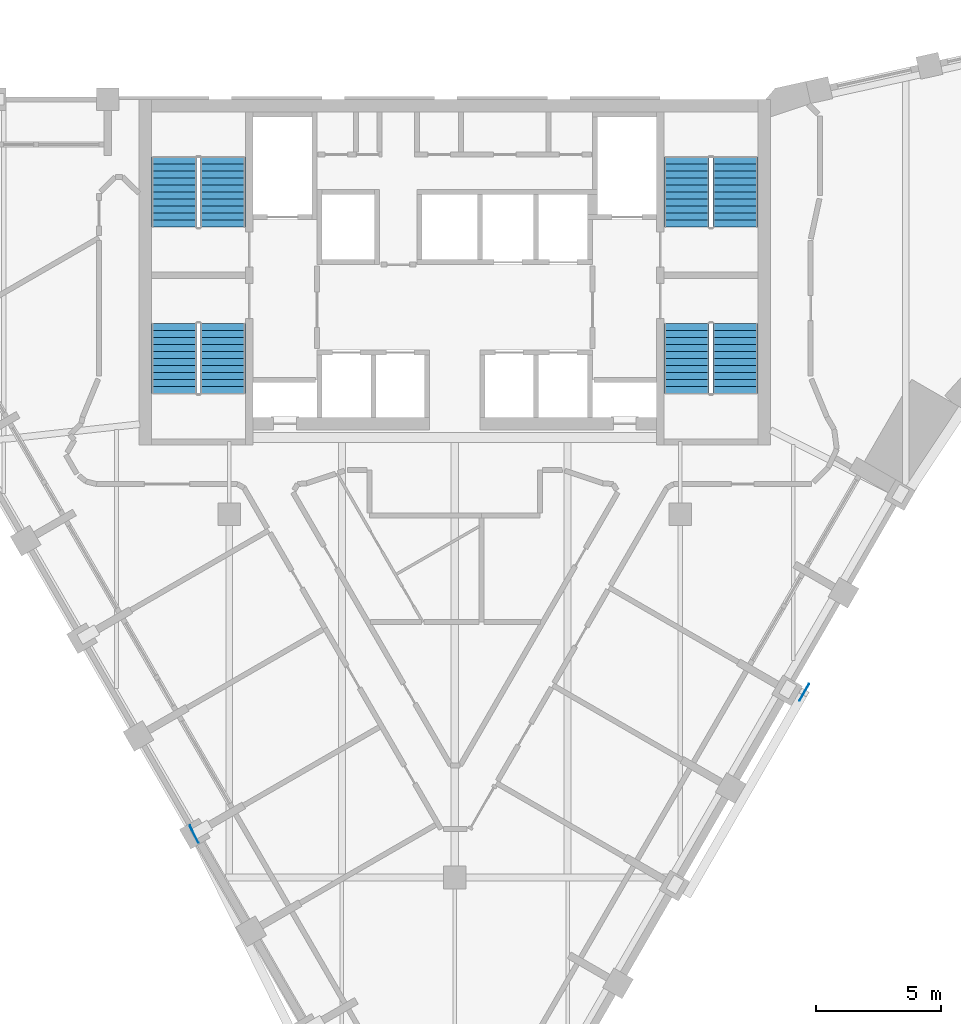
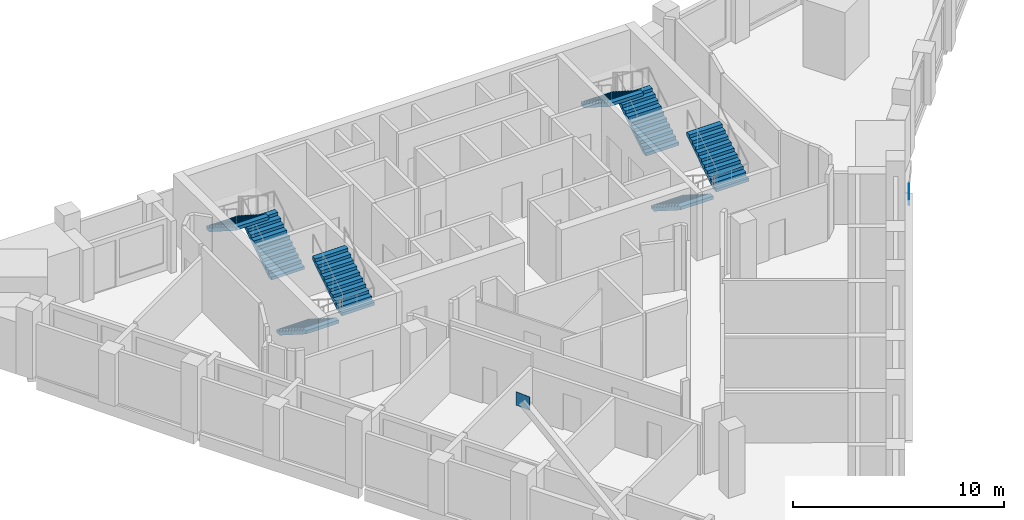
# One storey, part 8 of 9: 8 stair flights, 2 discrete accessories, 4 elements without a shape of their own.
"""IFC4 building model written with IfcOpenShell, lengths in metres."""

from ifc_helpers import new_model, si_unit, direction, frame, origin, origin_2d, place, context, subcontext, project, spatial, rectangle, extrude, faceted_brep, source, transform, mapped, material, type_object, element, aggregate, save


model = new_model("IFC4")

# Units and contexts
model_context = context("Model", 3, precision=1e-05, world=origin(), true_north=direction((0.0, 1.0)))
body_context = subcontext(model_context, "Body", "Model", "MODEL_VIEW")
ifc_project = project(units=[si_unit("LENGTHUNIT", "METRE"), si_unit("AREAUNIT", "SQUARE_METRE"), si_unit("VOLUMEUNIT", "CUBIC_METRE"), si_unit("PLANEANGLEUNIT", "RADIAN"), si_unit("MASSUNIT", "GRAM", prefix="KILO")], contexts=[model_context])

# Site, building, storey
site_placement = place(None, origin())
site = spatial("IfcSite", under=ifc_project, at=site_placement, CompositionType="ELEMENT")
building_placement = place(site_placement, origin())
building = spatial("IfcBuilding", under=site, at=building_placement, Name="Calabash Gate Tower", CompositionType="ELEMENT")
storey_placement = place(building_placement, frame((0.0, 0.0, 256.0)))
storey = spatial("IfcBuildingStorey", under=building, at=storey_placement, Name="L61", CompositionType="ELEMENT", Elevation=256.0)

# Stair, stair flights
ifc_material_1 = material(Name="Concrete C40/50", Category="concrete")
stair_type = type_object("IfcStairType", Name="Exit stair 22 risers of 177.3 mm", PredefinedType="HALF_TURN_STAIR", material=ifc_material_1)
stair_1_placement = place(storey_placement, origin())
stair_1 = element("IfcStair", 1, at=stair_1_placement, inside=storey, type_object=stair_type, Name="L61 Exit stair ST1", PredefinedType="HALF_TURN_STAIR")
ifc_material_2 = material(Name="Concrete C40/50", Category="concrete")
stair_flight_type = type_object("IfcStairFlightType", Name="Exit stair flight SFL", PredefinedType="STRAIGHT", material=ifc_material_2)
shared_shape = source(origin(), body_context, "Body", "Brep", [
    faceted_brep([(-0.0009765625, -0.89990234375, 0.0), (0.279541015625, -0.89990234375, 0.0), (2.791015625, -0.89990234375, 1.59521484375), (-0.0009765625, 0.89990234375, 0.0), (2.791015625, 0.89990234375, 1.59521484375), (0.279541015625, 0.89990234375, 0.0), (2.791015625, -0.89990234375, 1.78466796875), (2.7900390625, -0.89990234375, 1.78466796875), (2.7900390625, 0.89990234375, 1.78466796875), (2.791015625, 0.89990234375, 1.78466796875), (2.7900390625, -0.89990234375, 1.772705078125), (2.7900390625, 0.89990234375, 1.772705078125), (2.510986328125, -0.89990234375, 1.772705078125), (2.510986328125, 0.89990234375, 1.772705078125), (2.510986328125, -0.89990234375, 1.595458984375), (2.510986328125, 0.89990234375, 1.595458984375), (2.23193359375, -0.89990234375, 1.595458984375), (2.23193359375, 0.89990234375, 1.595458984375), (2.23193359375, -0.89990234375, 1.418212890625), (2.23193359375, 0.89990234375, 1.418212890625), (1.952880859375, -0.89990234375, 1.418212890625), (1.952880859375, -0.89990234375, 1.240966796875), (1.952880859375, 0.89990234375, 1.240966796875), (1.952880859375, 0.89990234375, 1.418212890625), (1.674072265625, -0.89990234375, 1.240966796875), (1.674072265625, -0.89990234375, 1.063720703125), (1.674072265625, 0.89990234375, 1.063720703125), (1.674072265625, 0.89990234375, 1.240966796875), (1.39501953125, -0.89990234375, 1.063720703125), (1.39501953125, -0.89990234375, 0.886474609375), (1.39501953125, 0.89990234375, 0.886474609375), (1.39501953125, 0.89990234375, 1.063720703125), (1.115966796875, -0.89990234375, 0.886474609375), (1.115966796875, -0.89990234375, 0.708984375), (1.115966796875, 0.89990234375, 0.708984375), (1.115966796875, 0.89990234375, 0.886474609375), (0.8369140625, -0.89990234375, 0.708984375), (0.8369140625, -0.89990234375, 0.53173828125), (0.8369140625, 0.89990234375, 0.53173828125), (0.8369140625, 0.89990234375, 0.708984375), (0.55810546875, -0.89990234375, 0.53173828125), (0.55810546875, -0.89990234375, 0.3544921875), (0.55810546875, 0.89990234375, 0.3544921875), (0.55810546875, 0.89990234375, 0.53173828125), (0.279052734375, -0.89990234375, 0.3544921875), (0.279052734375, -0.89990234375, 0.17724609375), (0.279052734375, 0.89990234375, 0.17724609375), (0.279052734375, 0.89990234375, 0.3544921875), (-0.0009765625, -0.89990234375, 0.17724609375), (-0.0009765625, 0.89990234375, 0.17724609375), (0.279541015625, -0.360107421875, 0.0), (2.791015625, -0.360107421875, 1.59521484375), (0.279541015625, 0.0, 0.0), (2.791015625, 0.0, 1.59521484375), (0.279541015625, 0.360107421875, 0.0), (2.791015625, 0.360107421875, 1.59521484375), (2.791015625, -0.360107421875, 1.78466796875), (2.791015625, 0.0, 1.78466796875), (2.791015625, 0.360107421875, 1.78466796875), (2.7900390625, -0.360107421875, 1.78466796875), (2.7900390625, 0.0, 1.78466796875), (2.7900390625, 0.360107421875, 1.78466796875), (2.7900390625, -0.360107421875, 1.772705078125), (2.7900390625, 0.0, 1.772705078125), (2.7900390625, 0.360107421875, 1.772705078125), (2.510986328125, -0.360107421875, 1.772705078125), (2.510986328125, 0.0, 1.772705078125), (2.510986328125, 0.360107421875, 1.772705078125), (2.510986328125, -0.360107421875, 1.595458984375), (2.510986328125, 0.0, 1.595458984375), (2.510986328125, 0.360107421875, 1.595458984375), (2.23193359375, -0.360107421875, 1.595458984375), (2.23193359375, 0.0, 1.595458984375), (2.23193359375, 0.360107421875, 1.595458984375), (2.23193359375, -0.360107421875, 1.418212890625), (2.23193359375, 0.0, 1.418212890625), (2.23193359375, 0.360107421875, 1.418212890625), (1.952880859375, -0.360107421875, 1.418212890625), (1.952880859375, 0.0, 1.418212890625), (1.952880859375, 0.360107421875, 1.418212890625), (1.952880859375, -0.360107421875, 1.240966796875), (1.952880859375, 0.0, 1.240966796875), (1.952880859375, 0.360107421875, 1.240966796875), (1.674072265625, -0.360107421875, 1.240966796875), (1.674072265625, 0.0, 1.240966796875), (1.674072265625, 0.360107421875, 1.240966796875), (1.674072265625, -0.360107421875, 1.063720703125), (1.674072265625, 0.0, 1.063720703125), (1.674072265625, 0.360107421875, 1.063720703125), (1.39501953125, -0.360107421875, 1.063720703125), (1.39501953125, 0.0, 1.063720703125), (1.39501953125, 0.360107421875, 1.063720703125), (1.39501953125, -0.360107421875, 0.886474609375), (1.39501953125, 0.0, 0.886474609375), (1.39501953125, 0.360107421875, 0.886474609375), (1.115966796875, -0.360107421875, 0.886474609375), (1.115966796875, 0.0, 0.886474609375), (1.115966796875, 0.360107421875, 0.886474609375), (1.115966796875, -0.360107421875, 0.708984375), (1.115966796875, 0.0, 0.708984375), (1.115966796875, 0.360107421875, 0.708984375), (0.8369140625, -0.360107421875, 0.708984375), (0.8369140625, 0.0, 0.708984375), (0.8369140625, 0.360107421875, 0.708984375), (0.8369140625, -0.360107421875, 0.53173828125), (0.8369140625, 0.0, 0.53173828125), (0.8369140625, 0.360107421875, 0.53173828125), (0.55810546875, -0.360107421875, 0.53173828125), (0.55810546875, 0.0, 0.53173828125), (0.55810546875, 0.360107421875, 0.53173828125), (0.55810546875, -0.360107421875, 0.3544921875), (0.55810546875, 0.0, 0.3544921875), (0.55810546875, 0.360107421875, 0.3544921875), (0.279052734375, -0.360107421875, 0.3544921875), (0.279052734375, 0.0, 0.3544921875), (0.279052734375, 0.360107421875, 0.3544921875), (0.279052734375, -0.360107421875, 0.17724609375), (0.279052734375, 0.0, 0.17724609375), (0.279052734375, 0.360107421875, 0.17724609375), (-0.0009765625, -0.360107421875, 0.17724609375), (-0.0009765625, 0.0, 0.17724609375), (-0.0009765625, 0.360107421875, 0.17724609375), (-0.0009765625, -0.360107421875, 0.0), (-0.0009765625, 0.0, 0.0), (-0.0009765625, 0.360107421875, 0.0)], [[[0, 1, 2]], [[3, 4, 5]], [[2, 6, 7]], [[4, 8, 9]], [[2, 7, 10]], [[4, 11, 8]], [[2, 10, 12]], [[4, 13, 11]], [[2, 12, 14]], [[4, 15, 13]], [[2, 14, 16]], [[4, 17, 15]], [[2, 16, 18]], [[4, 19, 17]], [[18, 20, 21]], [[19, 22, 23]], [[2, 18, 21]], [[4, 22, 19]], [[21, 24, 25]], [[22, 26, 27]], [[2, 21, 25]], [[4, 26, 22]], [[25, 28, 29]], [[26, 30, 31]], [[2, 25, 29]], [[4, 30, 26]], [[29, 32, 33]], [[30, 34, 35]], [[2, 29, 33]], [[4, 34, 30]], [[33, 36, 37]], [[34, 38, 39]], [[2, 33, 37]], [[4, 38, 34]], [[37, 40, 41]], [[38, 42, 43]], [[2, 37, 41]], [[4, 42, 38]], [[41, 44, 45]], [[42, 46, 47]], [[2, 41, 45]], [[4, 46, 42]], [[0, 2, 45]], [[3, 46, 4]], [[45, 48, 0]], [[46, 3, 49]], [[1, 50, 2]], [[50, 51, 2]], [[50, 52, 51]], [[52, 53, 51]], [[52, 54, 55]], [[52, 55, 53]], [[54, 5, 4]], [[54, 4, 55]], [[2, 51, 6]], [[51, 56, 6]], [[51, 53, 56]], [[53, 57, 56]], [[53, 55, 58]], [[53, 58, 57]], [[55, 4, 9]], [[55, 9, 58]], [[6, 56, 7]], [[56, 59, 7]], [[56, 57, 59]], [[57, 60, 59]], [[57, 58, 61]], [[57, 61, 60]], [[58, 9, 8]], [[58, 8, 61]], [[7, 59, 10]], [[59, 62, 10]], [[59, 60, 62]], [[60, 63, 62]], [[60, 61, 64]], [[60, 64, 63]], [[61, 8, 11]], [[61, 11, 64]], [[10, 62, 12]], [[62, 65, 12]], [[62, 63, 65]], [[63, 66, 65]], [[63, 64, 67]], [[63, 67, 66]], [[64, 11, 13]], [[64, 13, 67]], [[12, 65, 14]], [[65, 68, 14]], [[65, 66, 68]], [[66, 69, 68]], [[66, 67, 70]], [[66, 70, 69]], [[67, 13, 15]], [[67, 15, 70]], [[14, 68, 16]], [[68, 71, 16]], [[68, 69, 71]], [[69, 72, 71]], [[69, 70, 73]], [[69, 73, 72]], [[70, 15, 17]], [[70, 17, 73]], [[16, 71, 18]], [[71, 74, 18]], [[71, 72, 74]], [[72, 75, 74]], [[72, 73, 76]], [[72, 76, 75]], [[73, 17, 19]], [[73, 19, 76]], [[18, 74, 20]], [[74, 77, 20]], [[74, 75, 77]], [[75, 78, 77]], [[75, 76, 79]], [[75, 79, 78]], [[76, 19, 23]], [[76, 23, 79]], [[20, 77, 21]], [[77, 80, 21]], [[77, 78, 80]], [[78, 81, 80]], [[78, 79, 82]], [[78, 82, 81]], [[79, 23, 22]], [[79, 22, 82]], [[21, 80, 24]], [[80, 83, 24]], [[80, 81, 83]], [[81, 84, 83]], [[81, 82, 85]], [[81, 85, 84]], [[82, 22, 27]], [[82, 27, 85]], [[24, 83, 25]], [[83, 86, 25]], [[83, 84, 86]], [[84, 87, 86]], [[84, 85, 88]], [[84, 88, 87]], [[85, 27, 26]], [[85, 26, 88]], [[25, 86, 28]], [[86, 89, 28]], [[86, 87, 89]], [[87, 90, 89]], [[87, 88, 91]], [[87, 91, 90]], [[88, 26, 31]], [[88, 31, 91]], [[28, 89, 29]], [[89, 92, 29]], [[89, 90, 92]], [[90, 93, 92]], [[90, 91, 94]], [[90, 94, 93]], [[91, 31, 30]], [[91, 30, 94]], [[29, 92, 32]], [[92, 95, 32]], [[92, 93, 95]], [[93, 96, 95]], [[93, 94, 97]], [[93, 97, 96]], [[94, 30, 35]], [[94, 35, 97]], [[32, 95, 33]], [[95, 98, 33]], [[95, 96, 98]], [[96, 99, 98]], [[96, 97, 100]], [[96, 100, 99]], [[97, 35, 34]], [[97, 34, 100]], [[33, 98, 36]], [[98, 101, 36]], [[98, 99, 101]], [[99, 102, 101]], [[99, 100, 103]], [[99, 103, 102]], [[100, 34, 39]], [[100, 39, 103]], [[36, 101, 37]], [[101, 104, 37]], [[101, 102, 104]], [[102, 105, 104]], [[102, 103, 106]], [[102, 106, 105]], [[103, 39, 38]], [[103, 38, 106]], [[37, 104, 40]], [[104, 107, 40]], [[104, 105, 107]], [[105, 108, 107]], [[105, 106, 109]], [[105, 109, 108]], [[106, 38, 43]], [[106, 43, 109]], [[40, 107, 41]], [[107, 110, 41]], [[107, 108, 110]], [[108, 111, 110]], [[108, 109, 112]], [[108, 112, 111]], [[109, 43, 42]], [[109, 42, 112]], [[41, 110, 44]], [[110, 113, 44]], [[110, 111, 113]], [[111, 114, 113]], [[111, 112, 115]], [[111, 115, 114]], [[112, 42, 47]], [[112, 47, 115]], [[44, 113, 45]], [[113, 116, 45]], [[113, 114, 116]], [[114, 117, 116]], [[114, 115, 118]], [[114, 118, 117]], [[115, 47, 46]], [[115, 46, 118]], [[45, 116, 48]], [[116, 119, 48]], [[116, 117, 119]], [[117, 120, 119]], [[117, 118, 121]], [[117, 121, 120]], [[118, 46, 49]], [[118, 49, 121]], [[48, 119, 0]], [[119, 122, 0]], [[119, 120, 122]], [[120, 123, 122]], [[120, 121, 124]], [[120, 124, 123]], [[121, 49, 3]], [[121, 3, 124]], [[0, 122, 1]], [[122, 50, 1]], [[122, 123, 50]], [[123, 52, 50]], [[123, 124, 54]], [[123, 54, 52]], [[124, 3, 5]], [[124, 5, 54]]]),
])
stair_flight_1_placement = place(storey_placement, frame((-9.25, 13.95263671875, 0.0), z_axis=(0.0, 0.0, 1.0), x_axis=(0.0, 1.0, 0.0)))
stair_flight_1 = element("IfcStairFlight", 2, at=stair_flight_1_placement, type_object=stair_flight_type, Name="ST1 flight 1", NumberOfRisers=11, NumberOfTreads=10, PredefinedType="STRAIGHT", RiserHeight=0.177272727, TreadLength=0.279, context=body_context, shape_type="MappedRepresentation", body=[
    mapped(shared_shape, transform((0.0, 0.0, 0.0), scale=1.0)),
])
stair_flight_2_placement = place(storey_placement, frame((-11.199951171875, 16.74267578125, 1.949951171875), z_axis=(0.0, 0.0, 1.0), x_axis=(0.0, -1.0, 0.0)))
stair_flight_2 = element("IfcStairFlight", 3, at=stair_flight_2_placement, type_object=stair_flight_type, Name="ST1 flight 2", NumberOfRisers=11, NumberOfTreads=10, PredefinedType="STRAIGHT", RiserHeight=0.177272727, TreadLength=0.279, context=body_context, shape_type="MappedRepresentation", body=[
    mapped(shared_shape, transform((0.0, 0.0, 0.0), scale=1.0)),
])
aggregate(stair_1, [stair_flight_1, stair_flight_2])

stair_2_placement = place(storey_placement, origin())
stair_2 = element("IfcStair", 4, at=stair_2_placement, inside=storey, type_object=stair_type, Name="L61 Exit stair ST2", PredefinedType="HALF_TURN_STAIR")
stair_flight_3_placement = place(storey_placement, frame((-11.199951171875, 10.1025390625, 0.0), z_axis=(0.0, 0.0, 1.0), x_axis=(0.0, -1.0, 0.0)))
stair_flight_3 = element("IfcStairFlight", 5, at=stair_flight_3_placement, type_object=stair_flight_type, Name="ST2 flight 1", NumberOfRisers=11, NumberOfTreads=10, PredefinedType="STRAIGHT", RiserHeight=0.177272727, TreadLength=0.279, context=body_context, shape_type="MappedRepresentation", body=[
    mapped(shared_shape, transform((0.0, 0.0, 0.0), scale=1.0)),
])
stair_flight_4_placement = place(storey_placement, frame((-9.25, 7.3125, 1.949951171875), z_axis=(0.0, 0.0, 1.0), x_axis=(0.0, 1.0, 0.0)))
stair_flight_4 = element("IfcStairFlight", 6, at=stair_flight_4_placement, type_object=stair_flight_type, Name="ST2 flight 2", NumberOfRisers=11, NumberOfTreads=10, PredefinedType="STRAIGHT", RiserHeight=0.177272727, TreadLength=0.279, context=body_context, shape_type="MappedRepresentation", body=[
    mapped(shared_shape, transform((0.0, 0.0, 0.0), scale=1.0)),
])
aggregate(stair_2, [stair_flight_3, stair_flight_4])

stair_3_placement = place(storey_placement, origin())
stair_3 = element("IfcStair", 7, at=stair_3_placement, inside=storey, type_object=stair_type, Name="L61 Exit stair ST3", PredefinedType="HALF_TURN_STAIR")
stair_flight_5_placement = place(storey_placement, frame((11.199951171875, 13.95263671875, 0.0), z_axis=(0.0, 0.0, 1.0), x_axis=(0.0, 1.0, 0.0)))
stair_flight_5 = element("IfcStairFlight", 8, at=stair_flight_5_placement, type_object=stair_flight_type, Name="ST3 flight 1", NumberOfRisers=11, NumberOfTreads=10, PredefinedType="STRAIGHT", RiserHeight=0.177272727, TreadLength=0.279, context=body_context, shape_type="MappedRepresentation", body=[
    mapped(shared_shape, transform((0.0, 0.0, 0.0), scale=1.0)),
])
stair_flight_6_placement = place(storey_placement, frame((9.25, 16.74267578125, 1.949951171875), z_axis=(0.0, 0.0, 1.0), x_axis=(0.0, -1.0, 0.0)))
stair_flight_6 = element("IfcStairFlight", 9, at=stair_flight_6_placement, type_object=stair_flight_type, Name="ST3 flight 2", NumberOfRisers=11, NumberOfTreads=10, PredefinedType="STRAIGHT", RiserHeight=0.177272727, TreadLength=0.279, context=body_context, shape_type="MappedRepresentation", body=[
    mapped(shared_shape, transform((0.0, 0.0, 0.0), scale=1.0)),
])
aggregate(stair_3, [stair_flight_5, stair_flight_6])

stair_4_placement = place(storey_placement, origin())
stair_4 = element("IfcStair", 10, at=stair_4_placement, inside=storey, type_object=stair_type, Name="L61 Exit stair ST4", PredefinedType="HALF_TURN_STAIR")
stair_flight_7_placement = place(storey_placement, frame((9.25, 10.1025390625, 0.0), z_axis=(0.0, 0.0, 1.0), x_axis=(0.0, -1.0, 0.0)))
stair_flight_7 = element("IfcStairFlight", 11, at=stair_flight_7_placement, type_object=stair_flight_type, Name="ST4 flight 1", NumberOfRisers=11, NumberOfTreads=10, PredefinedType="STRAIGHT", RiserHeight=0.177272727, TreadLength=0.279, context=body_context, shape_type="MappedRepresentation", body=[
    mapped(shared_shape, transform((0.0, 0.0, 0.0), scale=1.0)),
])
stair_flight_8_placement = place(storey_placement, frame((11.199951171875, 7.3125, 1.949951171875), z_axis=(0.0, 0.0, 1.0), x_axis=(0.0, 1.0, 0.0)))
stair_flight_8 = element("IfcStairFlight", 12, at=stair_flight_8_placement, type_object=stair_flight_type, Name="ST4 flight 2", NumberOfRisers=11, NumberOfTreads=10, PredefinedType="STRAIGHT", RiserHeight=0.177272727, TreadLength=0.279, context=body_context, shape_type="MappedRepresentation", body=[
    mapped(shared_shape, transform((0.0, 0.0, 0.0), scale=1.0)),
])
aggregate(stair_4, [stair_flight_7, stair_flight_8])

# Discrete accessories
ifc_material_3 = material(Name="Steel ASTM A572 Gr50", Category="steel")
discrete_accessory_type = type_object("IfcDiscreteAccessoryType", Name="Connection plate 25", PredefinedType="BRACKET", material=ifc_material_3)
for number, where, z_axis, x_axis, name in (
    (13, (-10.4033203125, -10.26806640625, 7.41552734375), (0.0, 0.0, 1.0), (-0.442010320479, 0.897009964599, 0.0), "Connection plate Mega-brace SW Z5 38 end"),
    (14, (13.940185546875, -4.617919921875, 7.41552734375), (0.0, 0.0, 1.0), (0.500000075575, 0.866025360151, 0.0), "Connection plate Mega-brace SE Z5 43 end"),
):
    element("IfcDiscreteAccessory", number, at=place(storey_placement, frame(where, z_axis=z_axis, x_axis=x_axis)), inside=storey, type_object=discrete_accessory_type, Name=name, PredefinedType="BRACKET", context=body_context, shape_type="SweptSolid", body=[
        extrude(rectangle(XDim=0.76904296875, YDim=0.02490234375, at=origin_2d()), origin(), (0.0, 0.0, 1.0), 0.76904296875),
    ])

save(model, "model.ifc")
